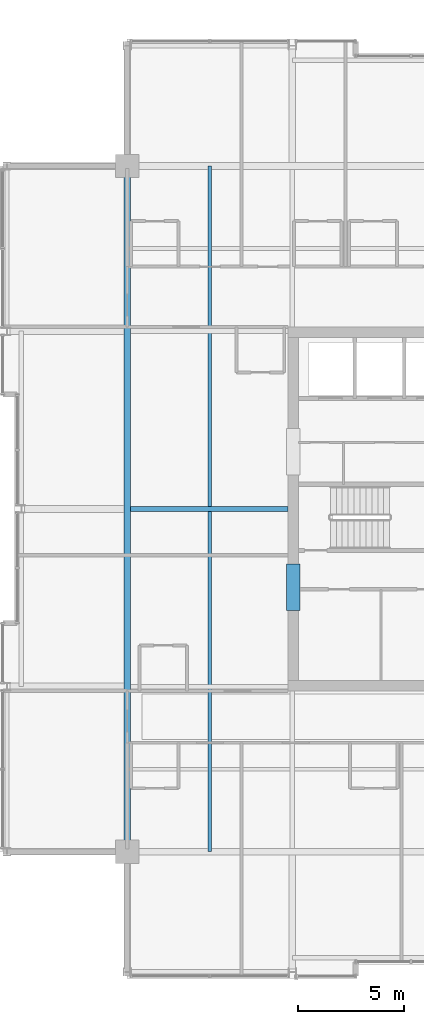
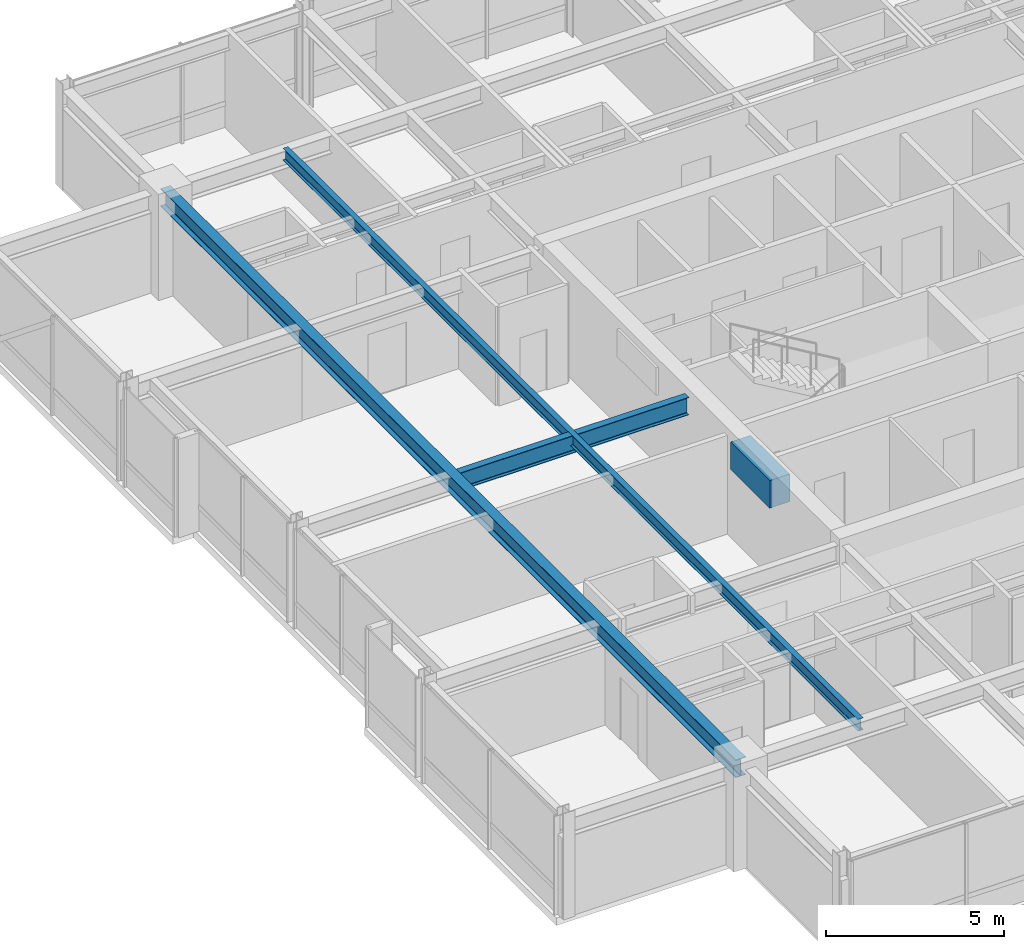
# One storey, part 12 of 33: 4 beams.
"""IFC4 building model written with IfcOpenShell, lengths in metres."""

from ifc_helpers import new_model, si_unit, direction, frame, origin, origin_2d, place, context, subcontext, project, spatial, rectangle, i_section, extrude, material, material_profile, profile_set, type_object, element, save


model = new_model("IFC4")

# Units and contexts
model_context = context("Model", 3, precision=1e-05, world=origin(), true_north=direction((0.0, 1.0)))
body_context = subcontext(model_context, "Body", "Model", "MODEL_VIEW")
ifc_project = project(units=[si_unit("LENGTHUNIT", "METRE"), si_unit("AREAUNIT", "SQUARE_METRE"), si_unit("VOLUMEUNIT", "CUBIC_METRE"), si_unit("PLANEANGLEUNIT", "RADIAN"), si_unit("MASSUNIT", "GRAM", prefix="KILO")], contexts=[model_context])

# Site, building, storey
site_placement = place(None, origin())
site = spatial("IfcSite", under=ifc_project, at=site_placement, CompositionType="ELEMENT")
building_placement = place(site_placement, origin())
building = spatial("IfcBuilding", under=site, at=building_placement, Name="Drelvath Grand Hotel", CompositionType="ELEMENT")
storey_placement = place(building_placement, frame((0.0, 0.0, 268.64990234375)))
storey = spatial("IfcBuildingStorey", under=building, at=storey_placement, Name="L70", CompositionType="ELEMENT", Elevation=268.64990234375)

# Beams
ifc_material_1 = material(Name="Steel ASTM A992 Gr 50", Category="steel")
ifc_material_profile_1 = material_profile(ifc_material_1, i_section(OverallWidth=0.177734375, OverallDepth=0.40673828125, WebThickness=0.0078125, FlangeThickness=0.0126953125, FilletRadius=0.014892578125, at=origin_2d()), Name="W16X40")
ifc_profile_set_1 = profile_set([ifc_material_profile_1], Name="Steel ASTM A992 Gr 50")
beam_type_1 = type_object("IfcBeamType", Name="Composite Floor Joist W16X40", PredefinedType="JOIST", material=ifc_profile_set_1)
beam_1_placement = place(storey_placement, frame((-12.300048828125, 10.800048828125, 3.186767578125), z_axis=(0.0, 1.0, 0.0), x_axis=(-1.0, 0.0, 0.0)))
element("IfcBeam", 1, at=beam_1_placement, inside=storey, type_object=beam_type_1, Name="L70 Wing Floor Joist J3", PredefinedType="JOIST", context=body_context, shape_type="SweptSolid", body=[
    extrude(i_section(OverallWidth=0.177734375, OverallDepth=0.40673828125, WebThickness=0.0078125, FlangeThickness=0.0126953125, FilletRadius=0.014892578125, at=origin_2d()), origin(), (0.0, 0.0, 1.0), 32.39990234375),
])
ifc_material_2 = material(Name="Concrete f'c 55 MPa", Category="concrete")
ifc_material_profile_2 = material_profile(ifc_material_2, rectangle(XDim=0.64990234375, YDim=0.949951171875, at=origin_2d()), Name="CB650X950")
ifc_profile_set_2 = profile_set([ifc_material_profile_2], Name="Concrete f'c 55 MPa")
beam_type_2 = type_object("IfcBeamType", Name="Core Coupling Lintel CB650X950", PredefinedType="LINTEL", material=ifc_profile_set_2)
beam_2_placement = place(storey_placement, frame((-8.35009765625, 22.199951171875, 2.9150390625), z_axis=(0.0, 1.0, 0.0), x_axis=(-1.0, 0.0, 0.0)))
element("IfcBeam", 2, at=beam_2_placement, inside=storey, type_object=beam_type_2, Name="L70 Core Coupling Lintel WS", PredefinedType="LINTEL", context=body_context, shape_type="SweptSolid", body=[
    extrude(rectangle(XDim=0.64990234375, YDim=0.949951171875, at=origin_2d()), origin(), (0.0, 0.0, 1.0), 2.199951171875),
])
ifc_material_profile_3 = material_profile(ifc_material_1, i_section(OverallWidth=0.323974609375, OverallDepth=0.611083984375, WebThickness=0.0126953125, FlangeThickness=0.01904296875, FilletRadius=0.02197265625, at=origin_2d()), Name="W24X104")
ifc_profile_set_3 = profile_set([ifc_material_profile_3], Name="Steel ASTM A992 Gr 50")
beam_type_3 = type_object("IfcBeamType", Name="Primary Floor Girder W24X104", PredefinedType="BEAM", material=ifc_profile_set_3)
beam_3_placement = place(storey_placement, frame((-16.199951171875, 10.800048828125, 3.084716796875), z_axis=(0.0, 1.0, 0.0), x_axis=(-1.0, 0.0, 0.0)))
element("IfcBeam", 3, at=beam_3_placement, inside=storey, type_object=beam_type_3, Name="L70 Mega Ring Girder West", PredefinedType="BEAM", context=body_context, shape_type="SweptSolid", body=[
    extrude(i_section(OverallWidth=0.323974609375, OverallDepth=0.611083984375, WebThickness=0.0126953125, FlangeThickness=0.01904296875, FilletRadius=0.02197265625, at=origin_2d()), origin(), (0.0, 0.0, 1.0), 32.39990234375),
])
ifc_material_profile_4 = material_profile(ifc_material_1, i_section(OverallWidth=0.228271484375, OverallDepth=0.607666015625, WebThickness=0.01123046875, FlangeThickness=0.017333984375, FilletRadius=0.02001953125, at=origin_2d()), Name="W24X76")
ifc_profile_set_4 = profile_set([ifc_material_profile_4], Name="Steel ASTM A992 Gr 50")
beam_type_4 = type_object("IfcBeamType", Name="Primary Floor Girder W24X76", PredefinedType="BEAM", material=ifc_profile_set_4)
beam_4_placement = place(storey_placement, frame((-16.0380859375, 27.0, 3.086181640625), z_axis=(1.0, 0.0, 0.0), x_axis=(0.0, 1.0, 0.0)))
element("IfcBeam", 4, at=beam_4_placement, inside=storey, type_object=beam_type_4, Name="L70 West Core Tie E", PredefinedType="BEAM", context=body_context, shape_type="SweptSolid", body=[
    extrude(i_section(OverallWidth=0.228271484375, OverallDepth=0.607666015625, WebThickness=0.01123046875, FlangeThickness=0.017333984375, FilletRadius=0.02001953125, at=origin_2d()), origin(), (0.0, 0.0, 1.0), 7.43798828125),
])

save(model, "model.ifc")
